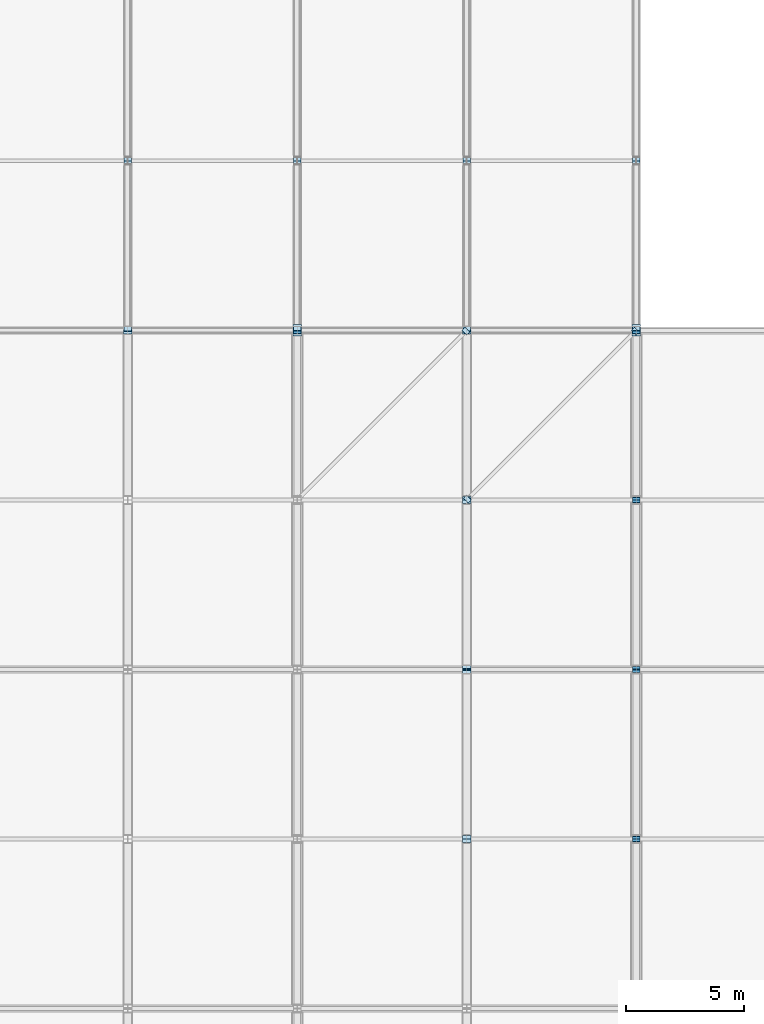
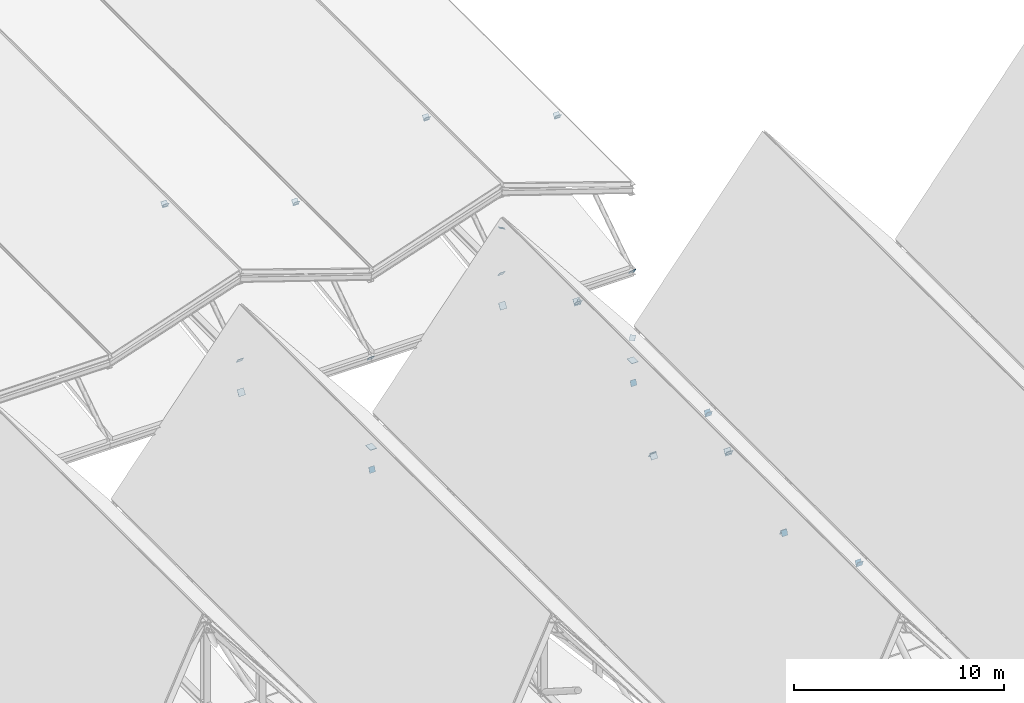
# One storey, part 52 of 60: 33 plates.
"""IFC4 building model written with IfcOpenShell, lengths in metres."""

from ifc_helpers import new_model, si_unit, direction, frame, origin, origin_2d, place, context, subcontext, project, spatial, rectangle, extrude, material, layer, layer_set, type_object, element, save


model = new_model("IFC4")

# Units and contexts
model_context = context("Model", 3, precision=1e-05, world=origin(), true_north=direction((0.0, 1.0)))
body_context = subcontext(model_context, "Body", "Model", "MODEL_VIEW")
ifc_project = project(units=[si_unit("LENGTHUNIT", "METRE"), si_unit("AREAUNIT", "SQUARE_METRE"), si_unit("VOLUMEUNIT", "CUBIC_METRE"), si_unit("PLANEANGLEUNIT", "RADIAN"), si_unit("MASSUNIT", "GRAM", prefix="KILO")], contexts=[model_context])

# Site, building, storey
site_placement = place(None, origin())
site = spatial("IfcSite", under=ifc_project, at=site_placement, CompositionType="ELEMENT")
building_placement = place(site_placement, origin())
building = spatial("IfcBuilding", under=site, at=building_placement, Name="Vesperath Aquatics Centre", CompositionType="ELEMENT")
storey_placement = place(building_placement, frame((0.0, 0.0, 27.60009765625)))
storey = spatial("IfcBuildingStorey", under=building, at=storey_placement, Name="RF", CompositionType="ELEMENT", Elevation=27.60009765625)

# Plates
ifc_material = material(Name="Steel Q355D", Category="steel")
ifc_layer_1 = layer(ifc_material, 0.02001953125)
ifc_layer_set_1 = layer_set([ifc_layer_1], Name="Steel Q355D")
plate_type_1 = type_object("IfcPlateType", Name="PT-TN01", PredefinedType="SHEET", material=ifc_layer_set_1)
for number, where, z_axis, x_axis, name in (
    (1, (36.0, 86.33251953125, -5.35693359375), (0.0, 0.842696259913, -0.538389276944), (-1.0, 0.0, 0.0), "Truss Node Cap Plate TN01"),
    (2, (50.39990234375, 64.732421875, -0.84326171875), (0.0, 0.842696259913, 0.538389276944), (-1.0, 0.0, 0.0), "Truss Node Cap Plate TN01"),
    (3, (50.39990234375, 64.850341796875, -0.83251953125), (0.0, 0.842696259913, -0.538389276944), (-1.0, 0.0, 0.0), "Truss Node Cap Plate TN01"),
    (4, (50.39990234375, 71.932373046875, -5.35693359375), (0.0, 0.842696259913, -0.538389276944), (-1.0, 0.0, 0.0), "Truss Node Cap Plate TN01"),
    (5, (50.39990234375, 72.050537109375, -5.36767578125), (0.0, 0.842696259913, 0.538389276944), (-1.0, 0.0, 0.0), "Truss Node Cap Plate TN01"),
    (6, (50.39990234375, 79.132568359375, -0.84326171875), (0.0, 0.842696259913, 0.538389276944), (-1.0, 0.0, 0.0), "Truss Node Cap Plate TN01"),
    (7, (50.39990234375, 79.25048828125, -0.83251953125), (0.0, 0.842696259913, -0.538389276944), (-1.0, 0.0, 0.0), "Truss Node Cap Plate TN01"),
    (8, (50.39990234375, 86.33251953125, -5.35693359375), (0.0, 0.842696259913, -0.538389276944), (-1.0, 0.0, 0.0), "Truss Node Cap Plate TN01"),
):
    element("IfcPlate", number, at=place(storey_placement, frame(where, z_axis=z_axis, x_axis=x_axis)), inside=storey, type_object=plate_type_1, Name=name, PredefinedType="SHEET", context=body_context, shape_type="SweptSolid", body=[
        extrude(rectangle(XDim=0.360107421875, YDim=0.360107421875, at=origin_2d()), origin(), (0.0, 0.0, 1.0), 0.02001953125),
    ])
ifc_layer_2 = layer(ifc_material, 0.02001953125)
ifc_layer_set_2 = layer_set([ifc_layer_2], Name="Steel Q355D")
plate_type_2 = type_object("IfcPlateType", Name="PT-TN02", PredefinedType="SHEET", material=ifc_layer_set_2)
for number, where, z_axis, x_axis, name in (
    (9, (43.199951171875, 86.32470703125, -12.372802734375), (0.0, 0.940553899656, -0.339644463876), (-1.0, 0.0, 0.0), "Truss Node Cap Plate TN02"),
    (10, (57.60009765625, 64.724609375, -9.827392578125), (0.0, 0.940553899656, 0.339644463876), (-1.0, 0.0, 0.0), "Truss Node Cap Plate TN02"),
    (11, (57.60009765625, 64.856201171875, -9.820556640625), (0.0, 0.940553899656, -0.339644463876), (-1.0, 0.0, 0.0), "Truss Node Cap Plate TN02"),
    (12, (57.60009765625, 71.924560546875, -12.372802734375), (0.0, 0.940553899656, -0.339644463876), (-1.0, 0.0, 0.0), "Truss Node Cap Plate TN02"),
    (13, (57.60009765625, 72.056396484375, -12.379638671875), (0.0, 0.940553899656, 0.339644463876), (-1.0, 0.0, 0.0), "Truss Node Cap Plate TN02"),
    (14, (57.60009765625, 79.124755859375, -9.827392578125), (0.0, 0.940553899656, 0.339644463876), (-1.0, 0.0, 0.0), "Truss Node Cap Plate TN02"),
    (15, (57.60009765625, 79.25634765625, -9.820556640625), (0.0, 0.940553899656, -0.339644463876), (-1.0, 0.0, 0.0), "Truss Node Cap Plate TN02"),
    (16, (57.60009765625, 86.32470703125, -12.372802734375), (0.0, 0.940553899656, -0.339644463876), (-1.0, 0.0, 0.0), "Truss Node Cap Plate TN02"),
    (17, (36.0, 86.449951171875, -3.56689453125), (0.0, 0.832050294338, 0.554700196225), (-1.0, 0.0, 0.0), "Truss Node Cap Plate TN02"),
    (18, (36.0, 93.533447265625, 1.155517578125), (0.0, 0.832050294338, 0.554700196225), (-1.0, 0.0, 0.0), "Truss Node Cap Plate TN02"),
    (19, (36.0, 93.64990234375, 1.166748046875), (0.0, 0.832050294338, -0.554700196225), (-1.0, 0.0, 0.0), "Truss Node Cap Plate TN02"),
    (20, (43.199951171875, 86.449951171875, -5.966796875), (0.0, 0.832050294338, 0.554700196225), (-1.0, 0.0, 0.0), "Truss Node Cap Plate TN02"),
    (21, (43.199951171875, 93.533447265625, -1.24462890625), (0.0, 0.832050294338, 0.554700196225), (-1.0, 0.0, 0.0), "Truss Node Cap Plate TN02"),
    (22, (43.199951171875, 93.64990234375, -1.2333984375), (0.0, 0.832050294338, -0.554700196225), (-1.0, 0.0, 0.0), "Truss Node Cap Plate TN02"),
    (23, (50.39990234375, 86.449951171875, -3.56689453125), (0.0, 0.832050294338, 0.554700196225), (-1.0, 0.0, 0.0), "Truss Node Cap Plate TN02"),
    (24, (50.39990234375, 93.533447265625, 1.155517578125), (0.0, 0.832050294338, 0.554700196225), (-1.0, 0.0, 0.0), "Truss Node Cap Plate TN02"),
    (25, (50.39990234375, 93.64990234375, 1.166748046875), (0.0, 0.832050294338, -0.554700196225), (-1.0, 0.0, 0.0), "Truss Node Cap Plate TN02"),
    (26, (57.60009765625, 86.449951171875, -5.966796875), (0.0, 0.832050294338, 0.554700196225), (-1.0, 0.0, 0.0), "Truss Node Cap Plate TN02"),
    (27, (57.60009765625, 93.533447265625, -1.24462890625), (0.0, 0.832050294338, 0.554700196225), (-1.0, 0.0, 0.0), "Truss Node Cap Plate TN02"),
    (28, (57.60009765625, 93.64990234375, -1.2333984375), (0.0, 0.832050294338, -0.554700196225), (-1.0, 0.0, 0.0), "Truss Node Cap Plate TN02"),
):
    element("IfcPlate", number, at=place(storey_placement, frame(where, z_axis=z_axis, x_axis=x_axis)), inside=storey, type_object=plate_type_2, Name=name, PredefinedType="SHEET", context=body_context, shape_type="SweptSolid", body=[
        extrude(rectangle(XDim=0.320068359375, YDim=0.320068359375, at=origin_2d()), origin(), (0.0, 0.0, 1.0), 0.02001953125),
    ])
ifc_layer_3 = layer(ifc_material, 0.01806640625)
ifc_layer_set_3 = layer_set([ifc_layer_3], Name="Steel Q355D")
plate_type_3 = type_object("IfcPlateType", Name="PT-TN03", PredefinedType="SHEET", material=ifc_layer_set_3)
for number, where, z_axis, x_axis, name in (
    (29, (50.357421875, 86.357421875, -0.853271484375), (0.529812942738, 0.529812942738, 0.662266178673), (-0.707106781187, 0.707106781187, 0.0), "Truss Node Cap Plate TN03"),
    (30, (50.4326171875, 79.232666015625, -0.841064453125), (0.529812942738, 0.529812942738, -0.662266178673), (-0.707106781187, 0.707106781187, 0.0), "Truss Node Cap Plate TN03"),
    (31, (57.5576171875, 86.357421875, -9.7470703125), (0.529812942738, 0.529812942738, -0.662266178673), (-0.707106781187, 0.707106781187, 0.0), "Truss Node Cap Plate TN03"),
):
    element("IfcPlate", number, at=place(storey_placement, frame(where, z_axis=z_axis, x_axis=x_axis)), inside=storey, type_object=plate_type_3, Name=name, PredefinedType="SHEET", context=body_context, shape_type="SweptSolid", body=[
        extrude(rectangle(XDim=0.280029296875, YDim=0.280029296875, at=origin_2d()), origin(), (0.0, 0.0, 1.0), 0.01806640625),
    ])
ifc_layer_4 = layer(ifc_material, 0.02197265625)
ifc_layer_set_4 = layer_set([ifc_layer_4], Name="Steel Q355D")
plate_type_4 = type_object("IfcPlateType", Name="PT-TN06", PredefinedType="SHEET", material=ifc_layer_set_4)
for number, where, z_axis, x_axis, name in (
    (32, (43.199951171875, 86.39990234375, -11.111083984375), (0.0, 0.0, 1.0), (0.0, 1.0, 0.0), "Truss Support Gusset Plate TN06 G7/N"),
    (33, (57.60009765625, 86.39990234375, -11.111083984375), (0.0, 0.0, 1.0), (0.0, 1.0, 0.0), "Truss Support Gusset Plate TN06 G9/N"),
):
    element("IfcPlate", number, at=place(storey_placement, frame(where, z_axis=z_axis, x_axis=x_axis)), inside=storey, type_object=plate_type_4, Name=name, PredefinedType="SHEET", context=body_context, shape_type="SweptSolid", body=[
        extrude(rectangle(XDim=0.47998046875, YDim=0.360107421875, at=origin_2d()), origin(), (0.0, 0.0, 1.0), 0.02197265625),
    ])

save(model, "model.ifc")
